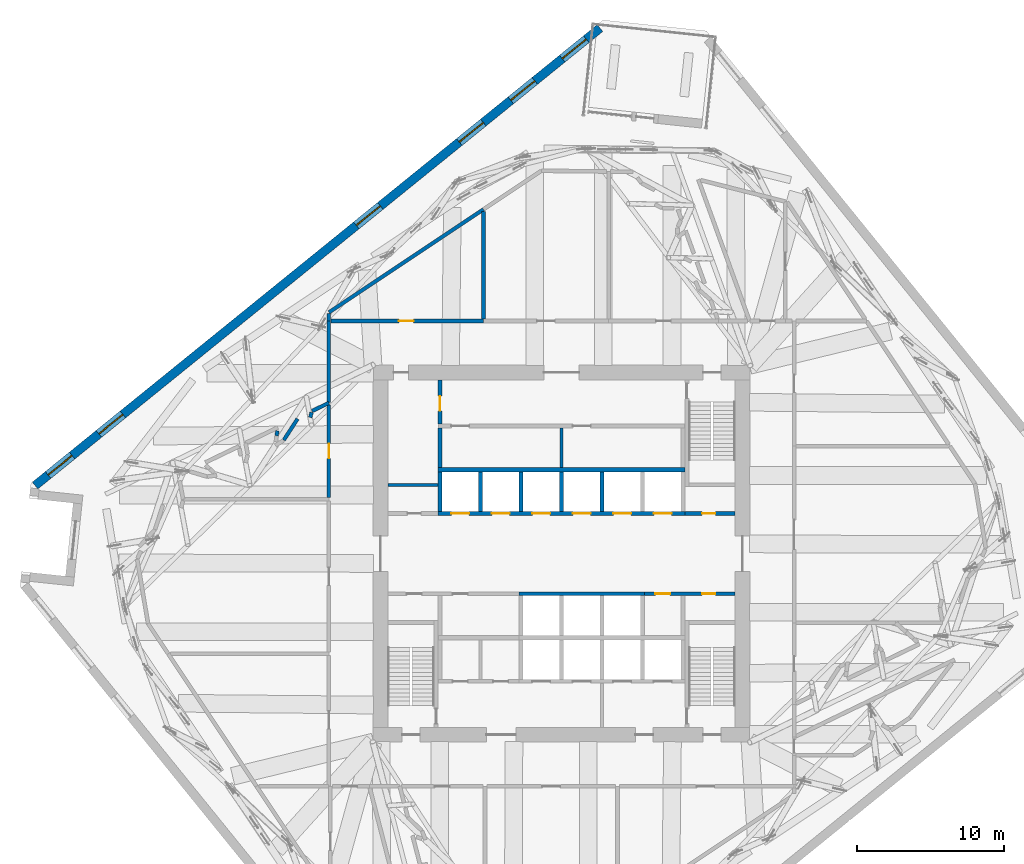
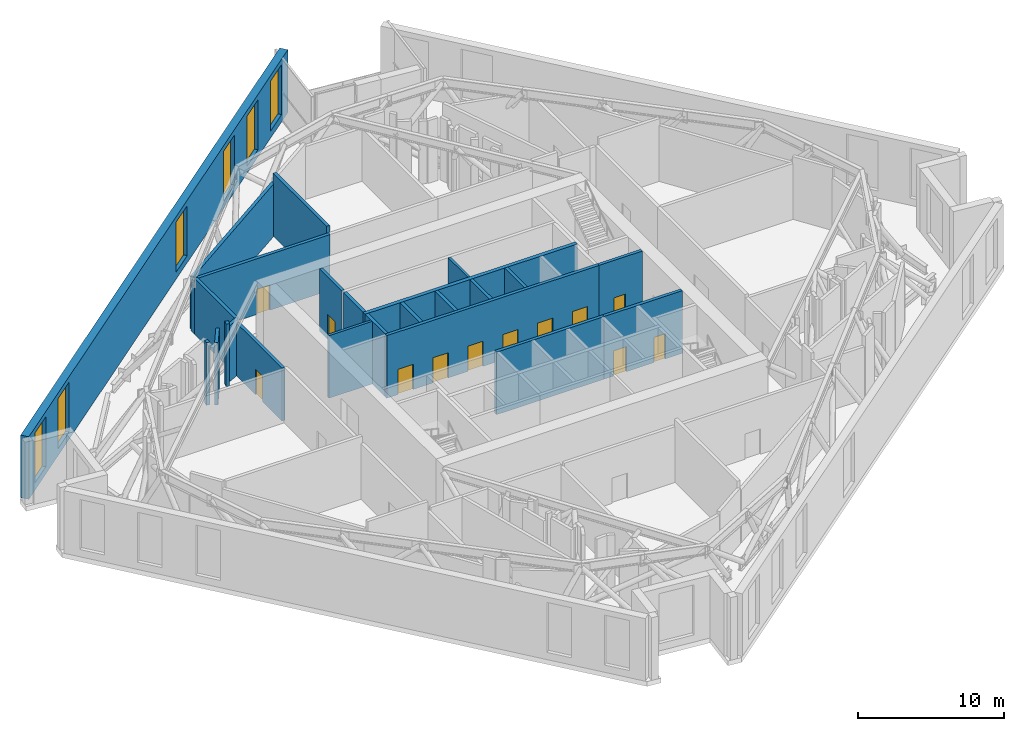
# One storey, part 10 of 17: 25 walls, 12 doors, 6 windows, 18 openings.
"""IFC4 building model written with IfcOpenShell, lengths in metres."""

from ifc_helpers import new_model, si_unit, direction, frame, frame_2d, origin, place, context, subcontext, project, spatial, rectangle, extrude, material, layer, layer_set, type_object, element, fill, save


model = new_model("IFC4")

# Units and contexts
model_context = context("Model", 3, precision=1e-05, world=origin(), true_north=direction((0.0, 1.0)))
body_context = subcontext(model_context, "Body", "Model", "MODEL_VIEW")
ifc_project = project(units=[si_unit("LENGTHUNIT", "METRE"), si_unit("AREAUNIT", "SQUARE_METRE"), si_unit("VOLUMEUNIT", "CUBIC_METRE"), si_unit("PLANEANGLEUNIT", "RADIAN"), si_unit("MASSUNIT", "GRAM", prefix="KILO")], contexts=[model_context])

# Site, building, storey
site_placement = place(None, origin())
site = spatial("IfcSite", under=ifc_project, at=site_placement, CompositionType="ELEMENT")
building_placement = place(site_placement, origin())
building = spatial("IfcBuilding", under=site, at=building_placement, Name="Dilmun Exchange Tower", CompositionType="ELEMENT")
storey_placement = place(building_placement, frame((0.0, 0.0, 183.699951171875)))
storey = spatial("IfcBuildingStorey", under=building, at=storey_placement, Name="L43", CompositionType="ELEMENT", Elevation=183.699951171875)

# Walls
ifc_material_1 = material(Name="Concrete C40/50", Category="concrete")
ifc_layer_1 = layer(ifc_material_1, 0.199951171875)
ifc_layer_set_1 = layer_set([ifc_layer_1], Name="Concrete C40/50")
wall_type_1 = type_object("IfcWallType", Name="Core partition wall 200", PredefinedType="PARTITIONING", material=ifc_layer_set_1)
wall_1_placement = place(storey_placement, frame((-11.794921875, 4.675048828125, 0.0), z_axis=(0.0, 0.0, 1.0), x_axis=(1.0, 0.0, 0.0)))
element("IfcWall", 1, at=wall_1_placement, inside=storey, type_object=wall_type_1, Name="L43 core partition wall 12", PredefinedType="PARTITIONING", context=body_context, shape_type="SweptSolid", body=[
    extrude(rectangle(XDim=3.4150390625, YDim=0.199951171875, at=frame_2d((1.70751953125, 0.0))), origin(), (0.0, 0.0, 1.0), 5.219970703125),
])
wall_2_placement = place(storey_placement, frame((0.0, 5.85498046875, 0.0), z_axis=(0.0, 0.0, 1.0), x_axis=(0.0, 1.0, 0.0)))
element("IfcWall", 2, at=wall_2_placement, inside=storey, type_object=wall_type_1, Name="L43 core partition wall 14", PredefinedType="PARTITIONING", context=body_context, shape_type="SweptSolid", body=[
    extrude(rectangle(XDim=2.68994140625, YDim=0.199951171875, at=frame_2d((1.344970703125, 0.0))), origin(), (0.0, 0.0, 1.0), 5.219970703125),
])

# Wall, openings, doors
ifc_layer_2 = layer(ifc_material_1, 0.25)
ifc_layer_set_2 = layer_set([ifc_layer_2], Name="Concrete C40/50")
wall_type_2 = type_object("IfcWallType", Name="Core partition wall 250", PredefinedType="PARTITIONING", material=ifc_layer_set_2)
wall_3_placement = place(storey_placement, frame((5.6298828125, -2.72509765625, 0.0), z_axis=(0.0, 0.0, 1.0), x_axis=(1.0, 0.0, 0.0)))
wall_3 = element("IfcWall", 3, at=wall_3_placement, inside=storey, type_object=wall_type_2, Name="L43 core partition wall 09", PredefinedType="PARTITIONING", context=body_context, shape_type="SweptSolid", body=[
    extrude(rectangle(XDim=6.1650390625, YDim=0.25, at=frame_2d((3.08251953125, 0.0))), origin(), (0.0, 0.0, 1.0), 5.219970703125),
])
opening_1_placement = place(wall_3_placement, frame((0.7451171875, 0.0, 0.0)))
opening_1 = element("IfcOpeningElement", 4, at=opening_1_placement, cuts=wall_3, Name="Opening CD4", PredefinedType="OPENING", context=body_context, shape_type="SweptSolid", body=[
    extrude(rectangle(XDim=1.0, YDim=2.10009765625, at=frame_2d((0.5, 1.050048828125))), frame((0.0, 0.135009765625, 0.0), z_axis=(0.0, -1.0, 0.0), x_axis=(1.0, 0.0, 0.0)), (0.0, 0.0, 1.0), 0.27001953125),
])
opening_2_placement = place(wall_3_placement, frame((3.919921875, 0.0, 0.0)))
opening_2 = element("IfcOpeningElement", 5, at=opening_2_placement, cuts=wall_3, Name="Opening CD6", PredefinedType="OPENING", context=body_context, shape_type="SweptSolid", body=[
    extrude(rectangle(XDim=0.89990234375, YDim=2.10009765625, at=frame_2d((0.449951171875, 1.050048828125))), frame((0.0, 0.135009765625, 0.0), z_axis=(0.0, -1.0, 0.0), x_axis=(1.0, 0.0, 0.0)), (0.0, 0.0, 1.0), 0.27001953125),
])
ifc_material_2 = material(Name="Fire-rated steel door set", Category="steel")
door_type_1 = type_object("IfcDoorType", Name="Core room door 1000x2100", OperationType="SINGLE_SWING_LEFT", PredefinedType="DOOR", material=ifc_material_2)
door_1_placement = place(opening_1_placement, origin())
door_1 = element("IfcDoor", 6, at=door_1_placement, inside=storey, type_object=door_type_1, Name="L43 door Cleaners' store", OperationType="SINGLE_SWING_RIGHT", OverallHeight=2.10009765625, OverallWidth=1.0, PredefinedType="DOOR", context=body_context, shape_type="SweptSolid", body=[
    extrude(rectangle(XDim=1.0, YDim=2.10009765625, at=frame_2d((0.5, 1.050048828125))), frame((0.0, 0.02490234375, 0.0), z_axis=(0.0, -1.0, 0.0), x_axis=(1.0, 0.0, 0.0)), (0.0, 0.0, 1.0), 0.050048828125),
])
fill(opening_1, door_1)
door_type_2 = type_object("IfcDoorType", Name="Core room door 900x2100", OperationType="SINGLE_SWING_LEFT", PredefinedType="DOOR", material=ifc_material_2)
door_2_placement = place(opening_2_placement, origin())
door_2 = element("IfcDoor", 7, at=door_2_placement, inside=storey, type_object=door_type_2, Name="L43 door Comms riser", OperationType="SINGLE_SWING_RIGHT", OverallHeight=2.10009765625, OverallWidth=0.89990234375, PredefinedType="DOOR", context=body_context, shape_type="SweptSolid", body=[
    extrude(rectangle(XDim=0.89990234375, YDim=2.10009765625, at=frame_2d((0.449951171875, 1.050048828125))), frame((0.0, 0.02490234375, 0.0), z_axis=(0.0, -1.0, 0.0), x_axis=(1.0, 0.0, 0.0)), (0.0, 0.0, 1.0), 0.050048828125),
])
fill(opening_2, door_2)

# Wall, opening, door
wall_4_placement = place(storey_placement, frame((8.3798828125, 2.72509765625, 0.0), z_axis=(0.0, 0.0, 1.0), x_axis=(1.0, 0.0, 0.0)))
wall_4 = element("IfcWall", 8, at=wall_4_placement, inside=storey, type_object=wall_type_2, Name="L43 core partition wall 11", PredefinedType="PARTITIONING", context=body_context, shape_type="SweptSolid", body=[
    extrude(rectangle(XDim=3.4150390625, YDim=0.25, at=frame_2d((1.70751953125, 0.0))), origin(), (0.0, 0.0, 1.0), 5.219970703125),
])
opening_3_placement = place(wall_4_placement, frame((1.169921875, 0.0, 0.0)))
opening_3 = element("IfcOpeningElement", 9, at=opening_3_placement, cuts=wall_4, Name="Opening CD6", PredefinedType="OPENING", context=body_context, shape_type="SweptSolid", body=[
    extrude(rectangle(XDim=0.89990234375, YDim=2.10009765625, at=frame_2d((0.449951171875, 1.050048828125))), frame((0.0, 0.135009765625, 0.0), z_axis=(0.0, -1.0, 0.0), x_axis=(1.0, 0.0, 0.0)), (0.0, 0.0, 1.0), 0.27001953125),
])
door_3_placement = place(opening_3_placement, origin())
door_3 = element("IfcDoor", 10, at=door_3_placement, inside=storey, type_object=door_type_2, Name="L43 door Electrical riser", OperationType="SINGLE_SWING_RIGHT", OverallHeight=2.10009765625, OverallWidth=0.89990234375, PredefinedType="DOOR", context=body_context, shape_type="SweptSolid", body=[
    extrude(rectangle(XDim=0.89990234375, YDim=2.10009765625, at=frame_2d((0.449951171875, 1.050048828125))), frame((0.0, 0.02490234375, 0.0), z_axis=(0.0, -1.0, 0.0), x_axis=(1.0, 0.0, 0.0)), (0.0, 0.0, 1.0), 0.050048828125),
])
fill(opening_3, door_3)

# Wall
wall_5_placement = place(storey_placement, frame((-8.25, 5.85498046875, 0.0), z_axis=(0.0, 0.0, 1.0), x_axis=(0.0, 1.0, 0.0)))
element("IfcWall", 11, at=wall_5_placement, inside=storey, type_object=wall_type_2, Name="L43 core partition wall 13", PredefinedType="PARTITIONING", context=body_context, shape_type="SweptSolid", body=[
    extrude(rectangle(XDim=2.68994140625, YDim=0.25, at=frame_2d((1.344970703125, 0.0))), origin(), (0.0, 0.0, 1.0), 5.219970703125),
])

# Wall, opening, door
wall_6_placement = place(storey_placement, frame((-8.25, 8.804931640625, 0.0), z_axis=(0.0, 0.0, 1.0), x_axis=(0.0, 1.0, 0.0)))
wall_6 = element("IfcWall", 12, at=wall_6_placement, inside=storey, type_object=wall_type_2, Name="L43 core partition wall 17", PredefinedType="PARTITIONING", context=body_context, shape_type="SweptSolid", body=[
    extrude(rectangle(XDim=2.989990234375, YDim=0.25, at=frame_2d((1.4951171875, 0.0))), origin(), (0.0, 0.0, 1.0), 5.219970703125),
])
opening_4_placement = place(wall_6_placement, frame((0.89501953125, 0.0, 0.0)))
opening_4 = element("IfcOpeningElement", 13, at=opening_4_placement, cuts=wall_6, Name="Opening CD4", PredefinedType="OPENING", context=body_context, shape_type="SweptSolid", body=[
    extrude(rectangle(XDim=1.0, YDim=2.10009765625, at=frame_2d((0.5, 1.050048828125))), frame((0.0, 0.135009765625, 0.0), z_axis=(0.0, -1.0, 0.0), x_axis=(1.0, 0.0, 0.0)), (0.0, 0.0, 1.0), 0.27001953125),
])
door_4_placement = place(opening_4_placement, origin())
door_4 = element("IfcDoor", 14, at=door_4_placement, inside=storey, type_object=door_type_1, Name="L43 door Building services room", OperationType="SINGLE_SWING_RIGHT", OverallHeight=2.10009765625, OverallWidth=1.0, PredefinedType="DOOR", context=body_context, shape_type="SweptSolid", body=[
    extrude(rectangle(XDim=1.0, YDim=2.10009765625, at=frame_2d((0.5, 1.050048828125))), frame((0.0, 0.02490234375, 0.0), z_axis=(0.0, -1.0, 0.0), x_axis=(1.0, 0.0, 0.0)), (0.0, 0.0, 1.0), 0.050048828125),
])
fill(opening_4, door_4)

# Wall
ifc_layer_3 = layer(ifc_material_1, 0.300048828125)
ifc_layer_set_3 = layer_set([ifc_layer_3], Name="Concrete C40/50")
wall_type_3 = type_object("IfcWallType", Name="Lift shaft shared wall 300", PredefinedType="SOLIDWALL", material=ifc_layer_set_3)
wall_7_placement = place(storey_placement, frame((-8.375, 5.699951171875, 0.0), z_axis=(0.0, 0.0, 1.0), x_axis=(1.0, 0.0, 0.0)))
element("IfcWall", 15, at=wall_7_placement, inside=storey, type_object=wall_type_3, Name="L43 lift shaft rear wall N", PredefinedType="SOLIDWALL", context=body_context, shape_type="SweptSolid", body=[
    extrude(rectangle(XDim=16.75, YDim=0.300048828125, at=frame_2d((8.375, 0.0))), origin(), (0.0, 0.0, 1.0), 5.219970703125),
])

# Wall, openings, doors
ifc_layer_4 = layer(ifc_material_1, 0.25)
ifc_layer_set_4 = layer_set([ifc_layer_4], Name="Concrete C40/50")
wall_type_4 = type_object("IfcWallType", Name="Lift shaft wall 250", PredefinedType="SOLIDWALL", material=ifc_layer_set_4)
wall_8_placement = place(storey_placement, frame((-8.375, 2.72509765625, 0.0), z_axis=(0.0, 0.0, 1.0), x_axis=(1.0, 0.0, 0.0)))
wall_8 = element("IfcWall", 16, at=wall_8_placement, inside=storey, type_object=wall_type_4, Name="L43 lift shaft front wall N1", PredefinedType="SOLIDWALL", context=body_context, shape_type="SweptSolid", body=[
    extrude(rectangle(XDim=16.75, YDim=0.25, at=frame_2d((8.375, 0.0))), origin(), (0.0, 0.0, 1.0), 5.219970703125),
])
opening_5_placement = place(wall_8_placement, frame((0.89990234375, 0.0, 0.0)))
opening_5 = element("IfcOpeningElement", 17, at=opening_5_placement, cuts=wall_8, Name="Opening LD", PredefinedType="OPENING", context=body_context, shape_type="SweptSolid", body=[
    extrude(rectangle(XDim=1.199951171875, YDim=2.10009765625, at=frame_2d((0.60009765625, 1.050048828125))), frame((0.0, 0.135009765625, 0.0), z_axis=(0.0, -1.0, 0.0), x_axis=(1.0, 0.0, 0.0)), (0.0, 0.0, 1.0), 0.27001953125),
])
opening_6_placement = place(wall_8_placement, frame((3.64990234375, 0.0, 0.0)))
opening_6 = element("IfcOpeningElement", 18, at=opening_6_placement, cuts=wall_8, Name="Opening LD", PredefinedType="OPENING", context=body_context, shape_type="SweptSolid", body=[
    extrude(rectangle(XDim=1.199951171875, YDim=2.10009765625, at=frame_2d((0.60009765625, 1.050048828125))), frame((0.0, 0.135009765625, 0.0), z_axis=(0.0, -1.0, 0.0), x_axis=(1.0, 0.0, 0.0)), (0.0, 0.0, 1.0), 0.27001953125),
])
opening_7_placement = place(wall_8_placement, frame((6.39990234375, 0.0, 0.0)))
opening_7 = element("IfcOpeningElement", 19, at=opening_7_placement, cuts=wall_8, Name="Opening LD", PredefinedType="OPENING", context=body_context, shape_type="SweptSolid", body=[
    extrude(rectangle(XDim=1.199951171875, YDim=2.10009765625, at=frame_2d((0.60009765625, 1.050048828125))), frame((0.0, 0.135009765625, 0.0), z_axis=(0.0, -1.0, 0.0), x_axis=(1.0, 0.0, 0.0)), (0.0, 0.0, 1.0), 0.27001953125),
])
opening_8_placement = place(wall_8_placement, frame((9.14990234375, 0.0, 0.0)))
opening_8 = element("IfcOpeningElement", 20, at=opening_8_placement, cuts=wall_8, Name="Opening LD", PredefinedType="OPENING", context=body_context, shape_type="SweptSolid", body=[
    extrude(rectangle(XDim=1.199951171875, YDim=2.10009765625, at=frame_2d((0.60009765625, 1.050048828125))), frame((0.0, 0.135009765625, 0.0), z_axis=(0.0, -1.0, 0.0), x_axis=(1.0, 0.0, 0.0)), (0.0, 0.0, 1.0), 0.27001953125),
])
opening_9_placement = place(wall_8_placement, frame((11.89990234375, 0.0, 0.0)))
opening_9 = element("IfcOpeningElement", 21, at=opening_9_placement, cuts=wall_8, Name="Opening LD", PredefinedType="OPENING", context=body_context, shape_type="SweptSolid", body=[
    extrude(rectangle(XDim=1.199951171875, YDim=2.10009765625, at=frame_2d((0.60009765625, 1.050048828125))), frame((0.0, 0.135009765625, 0.0), z_axis=(0.0, -1.0, 0.0), x_axis=(1.0, 0.0, 0.0)), (0.0, 0.0, 1.0), 0.27001953125),
])
opening_10_placement = place(wall_8_placement, frame((14.64990234375, 0.0, 0.0)))
opening_10 = element("IfcOpeningElement", 22, at=opening_10_placement, cuts=wall_8, Name="Opening LD", PredefinedType="OPENING", context=body_context, shape_type="SweptSolid", body=[
    extrude(rectangle(XDim=1.199951171875, YDim=2.10009765625, at=frame_2d((0.60009765625, 1.050048828125))), frame((0.0, 0.135009765625, 0.0), z_axis=(0.0, -1.0, 0.0), x_axis=(1.0, 0.0, 0.0)), (0.0, 0.0, 1.0), 0.27001953125),
])
door_type_3 = type_object("IfcDoorType", Name="Lift landing door 1200x2100", OperationType="DOUBLE_DOOR_SLIDING", PredefinedType="DOOR", material=ifc_material_2)
door_5_placement = place(opening_5_placement, origin())
door_5 = element("IfcDoor", 23, at=door_5_placement, inside=storey, type_object=door_type_3, Name="L43 landing door MR1", OperationType="DOUBLE_DOOR_SLIDING", OverallHeight=2.10009765625, OverallWidth=1.199951171875, PredefinedType="DOOR", context=body_context, shape_type="SweptSolid", body=[
    extrude(rectangle(XDim=1.199951171875, YDim=2.10009765625, at=frame_2d((0.60009765625, 1.050048828125))), frame((0.0, 0.02490234375, 0.0), z_axis=(0.0, -1.0, 0.0), x_axis=(1.0, 0.0, 0.0)), (0.0, 0.0, 1.0), 0.050048828125),
])
fill(opening_5, door_5)
door_6_placement = place(opening_6_placement, origin())
door_6 = element("IfcDoor", 24, at=door_6_placement, inside=storey, type_object=door_type_3, Name="L43 landing door MR2", OperationType="DOUBLE_DOOR_SLIDING", OverallHeight=2.10009765625, OverallWidth=1.199951171875, PredefinedType="DOOR", context=body_context, shape_type="SweptSolid", body=[
    extrude(rectangle(XDim=1.199951171875, YDim=2.10009765625, at=frame_2d((0.60009765625, 1.050048828125))), frame((0.0, 0.02490234375, 0.0), z_axis=(0.0, -1.0, 0.0), x_axis=(1.0, 0.0, 0.0)), (0.0, 0.0, 1.0), 0.050048828125),
])
fill(opening_6, door_6)
door_7_placement = place(opening_7_placement, origin())
door_7 = element("IfcDoor", 25, at=door_7_placement, inside=storey, type_object=door_type_3, Name="L43 landing door MR3", OperationType="DOUBLE_DOOR_SLIDING", OverallHeight=2.10009765625, OverallWidth=1.199951171875, PredefinedType="DOOR", context=body_context, shape_type="SweptSolid", body=[
    extrude(rectangle(XDim=1.199951171875, YDim=2.10009765625, at=frame_2d((0.60009765625, 1.050048828125))), frame((0.0, 0.02490234375, 0.0), z_axis=(0.0, -1.0, 0.0), x_axis=(1.0, 0.0, 0.0)), (0.0, 0.0, 1.0), 0.050048828125),
])
fill(opening_7, door_7)
door_8_placement = place(opening_8_placement, origin())
door_8 = element("IfcDoor", 26, at=door_8_placement, inside=storey, type_object=door_type_3, Name="L43 landing door MR4", OperationType="DOUBLE_DOOR_SLIDING", OverallHeight=2.10009765625, OverallWidth=1.199951171875, PredefinedType="DOOR", context=body_context, shape_type="SweptSolid", body=[
    extrude(rectangle(XDim=1.199951171875, YDim=2.10009765625, at=frame_2d((0.60009765625, 1.050048828125))), frame((0.0, 0.02490234375, 0.0), z_axis=(0.0, -1.0, 0.0), x_axis=(1.0, 0.0, 0.0)), (0.0, 0.0, 1.0), 0.050048828125),
])
fill(opening_8, door_8)
door_9_placement = place(opening_9_placement, origin())
door_9 = element("IfcDoor", 27, at=door_9_placement, inside=storey, type_object=door_type_3, Name="L43 landing door MR5", OperationType="DOUBLE_DOOR_SLIDING", OverallHeight=2.10009765625, OverallWidth=1.199951171875, PredefinedType="DOOR", context=body_context, shape_type="SweptSolid", body=[
    extrude(rectangle(XDim=1.199951171875, YDim=2.10009765625, at=frame_2d((0.60009765625, 1.050048828125))), frame((0.0, 0.02490234375, 0.0), z_axis=(0.0, -1.0, 0.0), x_axis=(1.0, 0.0, 0.0)), (0.0, 0.0, 1.0), 0.050048828125),
])
fill(opening_9, door_9)
door_10_placement = place(opening_10_placement, origin())
door_10 = element("IfcDoor", 28, at=door_10_placement, inside=storey, type_object=door_type_3, Name="L43 landing door MR6", OperationType="DOUBLE_DOOR_SLIDING", OverallHeight=2.10009765625, OverallWidth=1.199951171875, PredefinedType="DOOR", context=body_context, shape_type="SweptSolid", body=[
    extrude(rectangle(XDim=1.199951171875, YDim=2.10009765625, at=frame_2d((0.60009765625, 1.050048828125))), frame((0.0, 0.02490234375, 0.0), z_axis=(0.0, -1.0, 0.0), x_axis=(1.0, 0.0, 0.0)), (0.0, 0.0, 1.0), 0.050048828125),
])
fill(opening_10, door_10)

# Walls
for number, where, z_axis, x_axis, name in (
    (29, (-8.25, 2.85009765625, 0.0), (0.0, 0.0, 1.0), (0.0, 1.0, 0.0), "L43 lift shaft divider N10"),
    (30, (-5.5, 2.85009765625, 0.0), (0.0, 0.0, 1.0), (0.0, 1.0, 0.0), "L43 lift shaft divider N11"),
    (31, (-2.75, 2.85009765625, 0.0), (0.0, 0.0, 1.0), (0.0, 1.0, 0.0), "L43 lift shaft divider N12"),
    (32, (0.0, 2.85009765625, 0.0), (0.0, 0.0, 1.0), (0.0, 1.0, 0.0), "L43 lift shaft divider N13"),
    (33, (2.75, 2.85009765625, 0.0), (0.0, 0.0, 1.0), (0.0, 1.0, 0.0), "L43 lift shaft divider N14"),
):
    element("IfcWall", number, at=place(storey_placement, frame(where, z_axis=z_axis, x_axis=x_axis)), inside=storey, type_object=wall_type_4, Name=name, PredefinedType="SOLIDWALL", context=body_context, shape_type="SweptSolid", body=[
        extrude(rectangle(XDim=2.699951171875, YDim=0.25, at=frame_2d((1.35009765625, 0.0))), origin(), (0.0, 0.0, 1.0), 5.219970703125),
    ])
wall_9_placement = place(storey_placement, frame((-2.875, -2.72509765625, 0.0), z_axis=(0.0, 0.0, 1.0), x_axis=(1.0, 0.0, 0.0)))
element("IfcWall", 34, at=wall_9_placement, inside=storey, type_object=wall_type_4, Name="L43 lift shaft front wall S1", PredefinedType="SOLIDWALL", context=body_context, shape_type="SweptSolid", body=[
    extrude(rectangle(XDim=8.5, YDim=0.25, at=frame_2d((4.25, 0.0))), origin(), (0.0, 0.0, 1.0), 5.219970703125),
])
ifc_material_3 = material(Name="Concrete C32/40", Category="concrete")
ifc_layer_5 = layer(ifc_material_3, 0.25)
ifc_layer_set_5 = layer_set([ifc_layer_5], Name="Concrete C32/40")
wall_type_5 = type_object("IfcWallType", Name="Plant room wall 250", PredefinedType="PARTITIONING", material=ifc_layer_set_5)
wall_10_placement = place(storey_placement, frame((-18.864013671875, 7.714111328125, 0.0), z_axis=(0.0, 0.0, 1.0), x_axis=(0.542980424623, 0.839745353352, 0.0)))
element("IfcWall", 35, at=wall_10_placement, inside=storey, type_object=wall_type_5, Name="L43 plant room wall 99", PredefinedType="PARTITIONING", context=body_context, shape_type="SweptSolid", body=[
    extrude(rectangle(XDim=1.719482421875, YDim=0.25, at=frame_2d((0.85986328125, 0.0))), origin(), (0.0, 0.0, 1.0), 5.219970703125),
])
wall_11_placement = place(storey_placement, frame((-19.347900390625, 8.009033203125, 0.0), z_axis=(0.0, 0.0, 1.0), x_axis=(0.137076824228, 0.990560419288, 0.0)))
element("IfcWall", 36, at=wall_11_placement, inside=storey, type_object=wall_type_5, Name="L43 plant room wall 101", PredefinedType="PARTITIONING", context=body_context, shape_type="SweptSolid", body=[
    extrude(rectangle(XDim=0.33837890625, YDim=0.25, at=frame_2d((0.169189453125, 0.0))), origin(), (0.0, 0.0, 1.0), 5.219970703125),
])
wall_12_placement = place(storey_placement, frame((-17.06591796875, 9.249755859375, 0.0), z_axis=(0.0, 0.0, 1.0), x_axis=(0.251431256376, 0.967875158952, 0.0)))
element("IfcWall", 37, at=wall_12_placement, inside=storey, type_object=wall_type_5, Name="L43 plant room wall 102", PredefinedType="PARTITIONING", context=body_context, shape_type="SweptSolid", body=[
    extrude(rectangle(XDim=0.361328125, YDim=0.25, at=frame_2d((0.1806640625, 0.0))), origin(), (0.0, 0.0, 1.0), 5.219970703125),
])
wall_13_placement = place(storey_placement, frame((-16.945556640625, 9.68994140625, 0.0), z_axis=(0.0, 0.0, 1.0), x_axis=(0.900709667383, 0.434421563787, 0.0)))
element("IfcWall", 38, at=wall_13_placement, inside=storey, type_object=wall_type_5, Name="L43 plant room wall 103", PredefinedType="PARTITIONING", context=body_context, shape_type="SweptSolid", body=[
    extrude(rectangle(XDim=1.271728515625, YDim=0.25, at=frame_2d((0.6357421875, 0.0))), origin(), (0.0, 0.0, 1.0), 4.650146484375),
])

# Wall, opening, door
wall_14_placement = place(storey_placement, frame((-15.800048828125, 3.830078125, 0.0), z_axis=(0.0, 0.0, 1.0), x_axis=(0.0, 1.0, 0.0)))
wall_14 = element("IfcWall", 39, at=wall_14_placement, inside=storey, type_object=wall_type_5, Name="L43 plant room wall 104", PredefinedType="PARTITIONING", context=body_context, shape_type="SweptSolid", body=[
    extrude(rectangle(XDim=6.26806640625, YDim=0.25, at=frame_2d((3.134033203125, 0.0))), origin(), (0.0, 0.0, 1.0), 4.400146484375),
])
opening_11_placement = place(wall_14_placement, frame((2.64111328125, 0.0, 0.0)))
opening_11 = element("IfcOpeningElement", 40, at=opening_11_placement, cuts=wall_14, Name="Opening PD1", PredefinedType="OPENING", context=body_context, shape_type="SweptSolid", body=[
    extrude(rectangle(XDim=1.0, YDim=2.10009765625, at=frame_2d((0.5, 1.050048828125))), frame((0.0, 0.135009765625, 0.0), z_axis=(0.0, -1.0, 0.0), x_axis=(1.0, 0.0, 0.0)), (0.0, 0.0, 1.0), 0.27001953125),
])
door_type_4 = type_object("IfcDoorType", Name="Plant room door 1000x2100", OperationType="SINGLE_SWING_LEFT", PredefinedType="DOOR", material=ifc_material_2)
door_11_placement = place(opening_11_placement, origin())
door_11 = element("IfcDoor", 41, at=door_11_placement, inside=storey, type_object=door_type_4, Name="L43 door Comms plant room", OperationType="SINGLE_SWING_LEFT", OverallHeight=2.10009765625, OverallWidth=1.0, PredefinedType="DOOR", context=body_context, shape_type="SweptSolid", body=[
    extrude(rectangle(XDim=1.0, YDim=2.10009765625, at=frame_2d((0.5, 1.050048828125))), frame((0.0, 0.02490234375, 0.0), z_axis=(0.0, -1.0, 0.0), x_axis=(1.0, 0.0, 0.0)), (0.0, 0.0, 1.0), 0.050048828125),
])
fill(opening_11, door_11)

# Walls
wall_15_placement = place(storey_placement, frame((-15.800048828125, 10.25390625, 0.0), z_axis=(0.0, 0.0, 1.0), x_axis=(0.0, 1.0, 0.0)))
element("IfcWall", 42, at=wall_15_placement, inside=storey, type_object=wall_type_5, Name="L43 plant room wall 105", PredefinedType="PARTITIONING", context=body_context, shape_type="SweptSolid", body=[
    extrude(rectangle(XDim=5.546142578125, YDim=0.25, at=frame_2d((2.77294921875, 0.0))), origin(), (0.0, 0.0, 1.0), 4.650146484375),
])
wall_16_placement = place(storey_placement, frame((-15.800048828125, 15.804931640625, 0.0), z_axis=(0.0, 0.0, 1.0), x_axis=(0.0, 1.0, 0.0)))
element("IfcWall", 43, at=wall_16_placement, inside=storey, type_object=wall_type_5, Name="L43 plant room wall 106", PredefinedType="PARTITIONING", context=body_context, shape_type="SweptSolid", body=[
    extrude(rectangle(XDim=0.49267578125, YDim=0.25, at=frame_2d((0.246337890625, 0.0))), origin(), (0.0, 0.0, 1.0), 4.385986328125),
])

# Wall, opening, door
wall_17_placement = place(storey_placement, frame((-15.669921875, 15.800048828125, 0.0), z_axis=(0.0, 0.0, 1.0), x_axis=(1.0, 0.0, 0.0)))
wall_17 = element("IfcWall", 44, at=wall_17_placement, inside=storey, type_object=wall_type_5, Name="L43 plant room wall 107", PredefinedType="PARTITIONING", context=body_context, shape_type="SweptSolid", body=[
    extrude(rectangle(XDim=10.369873046875, YDim=0.25, at=frame_2d((5.18505859375, 0.0))), origin(), (0.0, 0.0, 1.0), 4.650146484375),
])
opening_12_placement = place(wall_17_placement, frame((4.6201171875, 0.0, 0.0)))
opening_12 = element("IfcOpeningElement", 45, at=opening_12_placement, cuts=wall_17, Name="Opening PD1", PredefinedType="OPENING", context=body_context, shape_type="SweptSolid", body=[
    extrude(rectangle(XDim=1.0, YDim=2.10009765625, at=frame_2d((0.5, 1.050048828125))), frame((0.0, 0.135009765625, 0.0), z_axis=(0.0, -1.0, 0.0), x_axis=(1.0, 0.0, 0.0)), (0.0, 0.0, 1.0), 0.27001953125),
])
door_12_placement = place(opening_12_placement, origin())
door_12 = element("IfcDoor", 46, at=door_12_placement, inside=storey, type_object=door_type_4, Name="L43 door Electrical plant room", OperationType="SINGLE_SWING_RIGHT", OverallHeight=2.10009765625, OverallWidth=1.0, PredefinedType="DOOR", context=body_context, shape_type="SweptSolid", body=[
    extrude(rectangle(XDim=1.0, YDim=2.10009765625, at=frame_2d((0.5, 1.050048828125))), frame((0.0, 0.02490234375, 0.0), z_axis=(0.0, -1.0, 0.0), x_axis=(1.0, 0.0, 0.0)), (0.0, 0.0, 1.0), 0.050048828125),
])
fill(opening_12, door_12)

# Walls
wall_18_placement = place(storey_placement, frame((-15.79248046875, 16.392578125, 0.0), z_axis=(0.0, 0.0, 1.0), x_axis=(0.832017530487, 0.554749338858, 0.0)))
element("IfcWall", 47, at=wall_18_placement, inside=storey, type_object=wall_type_5, Name="L43 plant room wall 117", PredefinedType="PARTITIONING", context=body_context, shape_type="SweptSolid", body=[
    extrude(rectangle(XDim=12.61083984375, YDim=0.25, at=frame_2d((6.305419921875, 0.0))), origin(), (0.0, 0.0, 1.0), 4.385986328125),
])
wall_19_placement = place(storey_placement, frame((-5.300048828125, 15.929931640625, 0.0), z_axis=(0.0, 0.0, 1.0), x_axis=(0.0, 1.0, 0.0)))
element("IfcWall", 48, at=wall_19_placement, inside=storey, type_object=wall_type_5, Name="L43 plant room wall 128", PredefinedType="PARTITIONING", context=body_context, shape_type="SweptSolid", body=[
    extrude(rectangle(XDim=7.30224609375, YDim=0.25, at=frame_2d((3.651123046875, 0.0))), origin(), (0.0, 0.0, 1.0), 5.219970703125),
])

# Wall, openings, windows
ifc_material_4 = material(Name="Precast concrete C50/60", Category="concrete")
ifc_layer_6 = layer(ifc_material_4, 0.60009765625)
ifc_layer_set_6 = layer_set([ifc_layer_6], Name="Precast concrete C50/60")
wall_type_6 = type_object("IfcWallType", Name="Precast stone-clad wall 600", PredefinedType="STANDARD", material=ifc_layer_set_6)
wall_20_placement = place(storey_placement, frame((2.61474609375, 35.701904296875, 0.0), z_axis=(0.0, 0.0, 1.0), x_axis=(-0.777144452625, -0.629322254297, 0.0)))
wall_20 = element("IfcWall", 49, at=wall_20_placement, inside=storey, type_object=wall_type_6, Name="Facade wall L43-03", PredefinedType="STANDARD", context=body_context, shape_type="SweptSolid", body=[
    extrude(rectangle(XDim=49.375732421875, YDim=0.60009765625, at=frame_2d((24.68798828125, 0.0))), origin(), (0.0, 0.0, 1.0), 5.219970703125),
])
opening_13_placement = place(wall_20_placement, frame((1.199951171875, 0.0, 0.60009765625)))
opening_13 = element("IfcOpeningElement", 50, at=opening_13_placement, cuts=wall_20, Name="Opening LV210-417", PredefinedType="OPENING", context=body_context, shape_type="SweptSolid", body=[
    extrude(rectangle(XDim=2.10009765625, YDim=4.169921875, at=frame_2d((1.050048828125, 2.0849609375))), frame((0.0, 0.31005859375, 0.0), z_axis=(0.0, -1.0, 0.0), x_axis=(1.0, 0.0, 0.0)), (0.0, 0.0, 1.0), 0.6201171875),
])
opening_14_placement = place(wall_20_placement, frame((5.699951171875, 0.0, 0.60009765625)))
opening_14 = element("IfcOpeningElement", 51, at=opening_14_placement, cuts=wall_20, Name="Opening LV210-417", PredefinedType="OPENING", context=body_context, shape_type="SweptSolid", body=[
    extrude(rectangle(XDim=2.10009765625, YDim=4.169921875, at=frame_2d((1.050048828125, 2.0849609375))), frame((0.0, 0.31005859375, 0.0), z_axis=(0.0, -1.0, 0.0), x_axis=(1.0, 0.0, 0.0)), (0.0, 0.0, 1.0), 0.6201171875),
])
opening_15_placement = place(wall_20_placement, frame((10.199951171875, 0.0, 0.60009765625)))
opening_15 = element("IfcOpeningElement", 52, at=opening_15_placement, cuts=wall_20, Name="Opening LV210-417", PredefinedType="OPENING", context=body_context, shape_type="SweptSolid", body=[
    extrude(rectangle(XDim=2.10009765625, YDim=4.169921875, at=frame_2d((1.050048828125, 2.0849609375))), frame((0.0, 0.31005859375, 0.0), z_axis=(0.0, -1.0, 0.0), x_axis=(1.0, 0.0, 0.0)), (0.0, 0.0, 1.0), 0.6201171875),
])
opening_16_placement = place(wall_20_placement, frame((19.199951171875, 0.0, 0.60009765625)))
opening_16 = element("IfcOpeningElement", 53, at=opening_16_placement, cuts=wall_20, Name="Opening LV210-417", PredefinedType="OPENING", context=body_context, shape_type="SweptSolid", body=[
    extrude(rectangle(XDim=2.10009765625, YDim=4.169921875, at=frame_2d((1.050048828125, 2.0849609375))), frame((0.0, 0.31005859375, 0.0), z_axis=(0.0, -1.0, 0.0), x_axis=(1.0, 0.0, 0.0)), (0.0, 0.0, 1.0), 0.6201171875),
])
opening_17_placement = place(wall_20_placement, frame((41.699951171875, 0.0, 0.60009765625)))
opening_17 = element("IfcOpeningElement", 54, at=opening_17_placement, cuts=wall_20, Name="Opening LV210-417", PredefinedType="OPENING", context=body_context, shape_type="SweptSolid", body=[
    extrude(rectangle(XDim=2.10009765625, YDim=4.169921875, at=frame_2d((1.050048828125, 2.0849609375))), frame((0.0, 0.31005859375, 0.0), z_axis=(0.0, -1.0, 0.0), x_axis=(1.0, 0.0, 0.0)), (0.0, 0.0, 1.0), 0.6201171875),
])
opening_18_placement = place(wall_20_placement, frame((46.137939453125, 0.0, 0.60009765625)))
opening_18 = element("IfcOpeningElement", 55, at=opening_18_placement, cuts=wall_20, Name="Opening LV210-417", PredefinedType="OPENING", context=body_context, shape_type="SweptSolid", body=[
    extrude(rectangle(XDim=2.10009765625, YDim=4.169921875, at=frame_2d((1.050048828125, 2.0849609375))), frame((0.0, 0.31005859375, 0.0), z_axis=(0.0, -1.0, 0.0), x_axis=(1.0, 0.0, 0.0)), (0.0, 0.0, 1.0), 0.6201171875),
])
ifc_material_5 = material(Name="Anodised aluminium louvre blades with sand trap", Category="aluminium")
window_type = type_object("IfcWindowType", Name="Plant louvre 2100 x 4170", PartitioningType="SINGLE_PANEL", PredefinedType="USERDEFINED", material=ifc_material_5)
window_1_placement = place(opening_13_placement, origin())
window_1 = element("IfcWindow", 56, at=window_1_placement, inside=storey, type_object=window_type, Name="Plant louvre 4.1", ObjectType="LOUVRE", OverallHeight=4.169921875, OverallWidth=2.10009765625, PartitioningType="SINGLE_PANEL", PredefinedType="USERDEFINED", context=body_context, shape_type="SweptSolid", body=[
    extrude(rectangle(XDim=2.10009765625, YDim=4.169921875, at=frame_2d((1.050048828125, 2.0849609375))), frame((0.0, 0.030029296875, 0.0), z_axis=(0.0, -1.0, 0.0), x_axis=(1.0, 0.0, 0.0)), (0.0, 0.0, 1.0), 0.06005859375),
])
fill(opening_13, window_1)
window_2_placement = place(opening_14_placement, origin())
window_2 = element("IfcWindow", 57, at=window_2_placement, inside=storey, type_object=window_type, Name="Plant louvre 4.2", ObjectType="LOUVRE", OverallHeight=4.169921875, OverallWidth=2.10009765625, PartitioningType="SINGLE_PANEL", PredefinedType="USERDEFINED", context=body_context, shape_type="SweptSolid", body=[
    extrude(rectangle(XDim=2.10009765625, YDim=4.169921875, at=frame_2d((1.050048828125, 2.0849609375))), frame((0.0, 0.030029296875, 0.0), z_axis=(0.0, -1.0, 0.0), x_axis=(1.0, 0.0, 0.0)), (0.0, 0.0, 1.0), 0.06005859375),
])
fill(opening_14, window_2)
window_3_placement = place(opening_15_placement, origin())
window_3 = element("IfcWindow", 58, at=window_3_placement, inside=storey, type_object=window_type, Name="Plant louvre 4.3", ObjectType="LOUVRE", OverallHeight=4.169921875, OverallWidth=2.10009765625, PartitioningType="SINGLE_PANEL", PredefinedType="USERDEFINED", context=body_context, shape_type="SweptSolid", body=[
    extrude(rectangle(XDim=2.10009765625, YDim=4.169921875, at=frame_2d((1.050048828125, 2.0849609375))), frame((0.0, 0.030029296875, 0.0), z_axis=(0.0, -1.0, 0.0), x_axis=(1.0, 0.0, 0.0)), (0.0, 0.0, 1.0), 0.06005859375),
])
fill(opening_15, window_3)
window_4_placement = place(opening_16_placement, origin())
window_4 = element("IfcWindow", 59, at=window_4_placement, inside=storey, type_object=window_type, Name="Plant louvre 4.5", ObjectType="LOUVRE", OverallHeight=4.169921875, OverallWidth=2.10009765625, PartitioningType="SINGLE_PANEL", PredefinedType="USERDEFINED", context=body_context, shape_type="SweptSolid", body=[
    extrude(rectangle(XDim=2.10009765625, YDim=4.169921875, at=frame_2d((1.050048828125, 2.0849609375))), frame((0.0, 0.030029296875, 0.0), z_axis=(0.0, -1.0, 0.0), x_axis=(1.0, 0.0, 0.0)), (0.0, 0.0, 1.0), 0.06005859375),
])
fill(opening_16, window_4)
window_5_placement = place(opening_17_placement, origin())
window_5 = element("IfcWindow", 60, at=window_5_placement, inside=storey, type_object=window_type, Name="Plant louvre 4.10", ObjectType="LOUVRE", OverallHeight=4.169921875, OverallWidth=2.10009765625, PartitioningType="SINGLE_PANEL", PredefinedType="USERDEFINED", context=body_context, shape_type="SweptSolid", body=[
    extrude(rectangle(XDim=2.10009765625, YDim=4.169921875, at=frame_2d((1.050048828125, 2.0849609375))), frame((0.0, 0.030029296875, 0.0), z_axis=(0.0, -1.0, 0.0), x_axis=(1.0, 0.0, 0.0)), (0.0, 0.0, 1.0), 0.06005859375),
])
fill(opening_17, window_5)
window_6_placement = place(opening_18_placement, origin())
window_6 = element("IfcWindow", 61, at=window_6_placement, inside=storey, type_object=window_type, Name="Plant louvre 4.11", ObjectType="LOUVRE", OverallHeight=4.169921875, OverallWidth=2.10009765625, PartitioningType="SINGLE_PANEL", PredefinedType="USERDEFINED", context=body_context, shape_type="SweptSolid", body=[
    extrude(rectangle(XDim=2.10009765625, YDim=4.169921875, at=frame_2d((1.050048828125, 2.0849609375))), frame((0.0, 0.030029296875, 0.0), z_axis=(0.0, -1.0, 0.0), x_axis=(1.0, 0.0, 0.0)), (0.0, 0.0, 1.0), 0.06005859375),
])
fill(opening_18, window_6)

save(model, "model.ifc")
